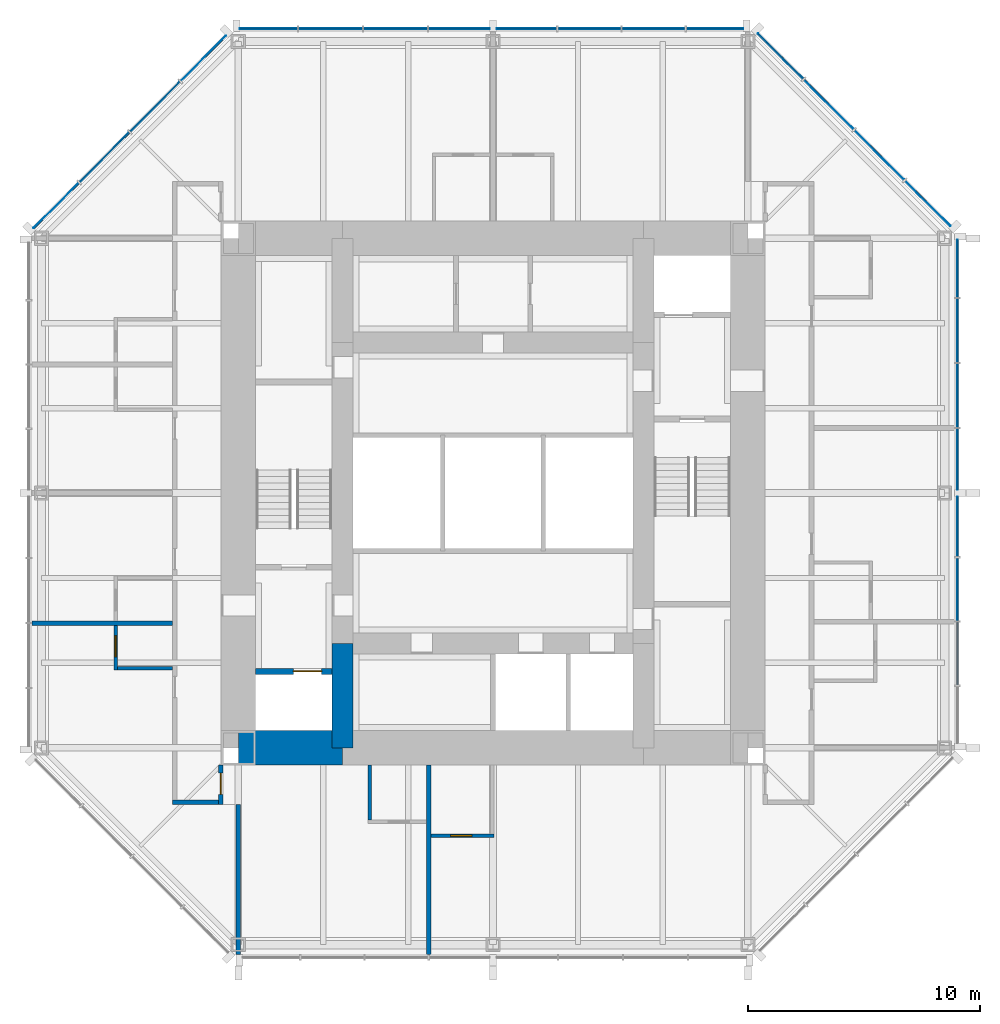
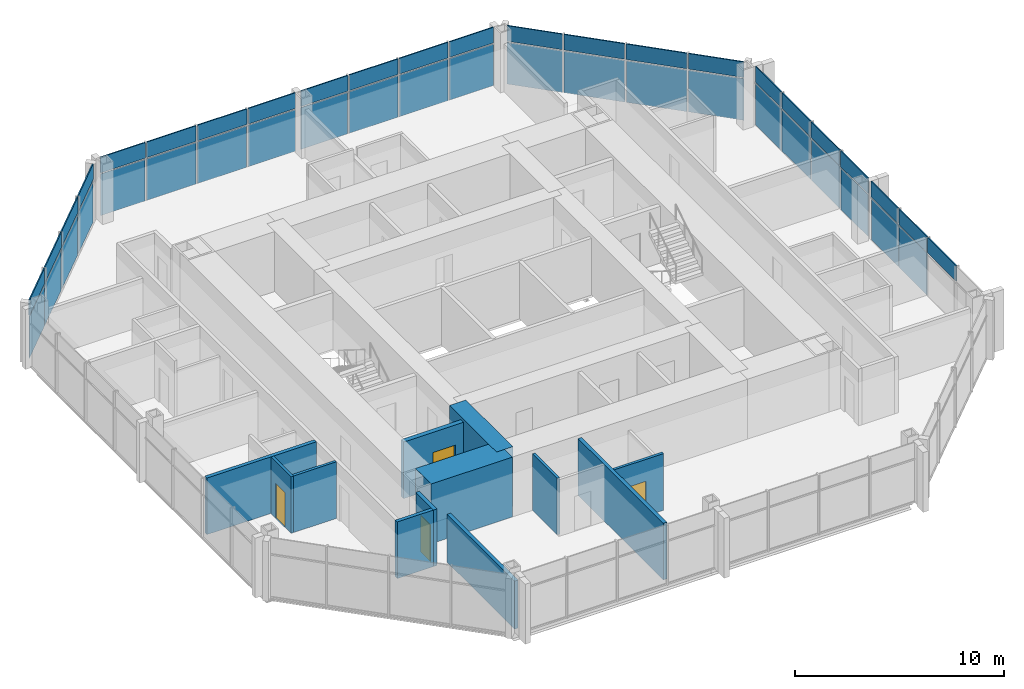
# One storey, part 7 of 11: 45 plates, 12 walls, 4 doors, 4 openings, 4 elements without a shape of their own.
"""IFC4 building model written with IfcOpenShell, lengths in metres."""

import ifcopenshell
import ifcopenshell.guid

model = None  # the IFC model being written
_history = None  # IfcOwnerHistory: only IFC2X3 demands one
_inside = {}  # id of a spatial element -> (the spatial element, [elements in it])
_under = {}  # id of a project, library or spatial element -> (it, [spatial elements below it])
_declared = {}  # id of a project -> (the project, [libraries it declares])
_typed = {}  # id of a type object -> (the type object, [elements of that type])
_made_of = {}  # id of a material, layer set ... -> (it, [elements and type objects made of it])


def new_model(schema):
    """Start an empty IFC model of exactly this schema.

    Asked for "IFC4X3", IfcOpenShell would pick the latest addendum, in which some entities
    have other attributes; the version numbers below select the first issue.
    IFC2X3 requires an IfcOwnerHistory on every rooted entity: one is made here for all.
    """
    global model, _history
    if schema == "IFC4X3":
        model = ifcopenshell.file(schema_version=(4, 3, 0, 0))
    else:
        model = ifcopenshell.file(schema=schema)
    _inside.clear()
    _under.clear()
    _declared.clear()
    _typed.clear()
    _made_of.clear()
    _history = None
    if model.schema == "IFC2X3":
        org = make("IfcOrganization", Name="unknown")
        user = make(
            "IfcPersonAndOrganization",
            ThePerson=make("IfcPerson", FamilyName="unknown"),
            TheOrganization=org,
        )
        app = make(
            "IfcApplication",
            ApplicationDeveloper=org,
            Version="unknown",
            ApplicationFullName="unknown",
            ApplicationIdentifier="unknown",
        )
        _history = make(
            "IfcOwnerHistory",
            OwningUser=user,
            OwningApplication=app,
            ChangeAction="ADDED",
            CreationDate=0,
        )
    return model


def make(cls, **values):
    """One entity of the class cls with the attributes given. An attribute that is None is left unset."""
    return model.create_entity(
        cls, **{name: value for name, value in values.items() if value is not None}
    )


def rooted(cls, **values):
    """An entity with a GlobalId (a new one), such as an element, a storey or a relation."""
    return make(cls, GlobalId=ifcopenshell.guid.new(), OwnerHistory=_history, **values)


def si_unit(unit_type, name, prefix=None):
    """IfcSIUnit, for example si_unit("LENGTHUNIT", "METRE", prefix="MILLI")."""
    return make("IfcSIUnit", UnitType=unit_type, Prefix=prefix, Name=name)


def assignment(units):
    """IfcUnitAssignment: the units of a project."""
    return None if units is None else make("IfcUnitAssignment", Units=units)


def point(xyz):
    """IfcCartesianPoint."""
    return None if xyz is None else make("IfcCartesianPoint", Coordinates=xyz)


def direction(xyz):
    """IfcDirection."""
    return None if xyz is None else make("IfcDirection", DirectionRatios=xyz)


def frame(location, z_axis=None, x_axis=None):
    """IfcAxis2Placement3D, a coordinate frame: its origin and axes. An axis left out is left unset."""
    return make(
        "IfcAxis2Placement3D",
        Location=point(location),
        Axis=direction(z_axis),
        RefDirection=direction(x_axis),
    )


def frame_2d(location, x_axis=None):
    """IfcAxis2Placement2D, a coordinate frame in the plane: its origin and x axis."""
    return make(
        "IfcAxis2Placement2D", Location=point(location), RefDirection=direction(x_axis)
    )


def origin():
    """The frame at (0, 0, 0) with its axes left unset."""
    return frame((0.0, 0.0, 0.0))


def origin_2d():
    """The frame at (0, 0) in the plane with its x axis left unset."""
    return frame_2d((0.0, 0.0))


def place(relative_to, where):
    """IfcLocalPlacement: puts the frame where relative to a parent placement (None: the world)."""
    return make(
        "IfcLocalPlacement", PlacementRelTo=relative_to, RelativePlacement=where
    )


def context(
    kind, dimensions, precision=None, world=None, true_north=None, identifier=None
):
    """IfcGeometricRepresentationContext, for example the 3D "Model" context."""
    return make(
        "IfcGeometricRepresentationContext",
        ContextIdentifier=identifier,
        ContextType=kind,
        CoordinateSpaceDimension=dimensions,
        Precision=precision,
        WorldCoordinateSystem=world,
        TrueNorth=true_north,
    )


def subcontext(parent, identifier, kind, view, scale=None):
    """IfcGeometricRepresentationSubContext, for example "Body" below "Model"."""
    return make(
        "IfcGeometricRepresentationSubContext",
        ContextIdentifier=identifier,
        ContextType=kind,
        ParentContext=parent,
        TargetScale=scale,
        TargetView=view,
    )


def project(units=None, contexts=None):
    """IfcProject with its units and contexts."""
    return rooted(
        "IfcProject",
        Name="project",
        RepresentationContexts=contexts,
        UnitsInContext=assignment(units),
    )


def spatial(cls, under=None, at=None, **own):
    """A site, building, storey or space (cls), placed at a placement, below another one or the project."""
    s = rooted(cls, ObjectPlacement=at, **own)
    if under is not None:
        _under.setdefault(under.id(), (under, []))[1].append(s)
    return s


def profile(cls, at=None, kind="AREA", **sizes):
    """A parametric profile (cls). Its sizes go by their IFC names, for example OverallWidth=200.0."""
    return make(cls, ProfileType=kind, Position=at, **sizes)


def rectangle(**sizes):
    """IfcRectangleProfileDef."""
    return profile("IfcRectangleProfileDef", **sizes)


def extrude(swept, where, along, depth):
    """IfcExtrudedAreaSolid: the profile swept, set in the frame where, extruded along a direction by depth."""
    return make(
        "IfcExtrudedAreaSolid",
        SweptArea=swept,
        Position=where,
        ExtrudedDirection=direction(along),
        Depth=depth,
    )


def shape(context_of_items, identifier, shape_type, items):
    """IfcShapeRepresentation: the items that make up one representation, for example the "Body"."""
    return make(
        "IfcShapeRepresentation",
        ContextOfItems=context_of_items,
        RepresentationIdentifier=identifier,
        RepresentationType=shape_type,
        Items=items,
    )


def material(Name=None, Category=None):
    """IfcMaterial."""
    return make("IfcMaterial", Name=Name, Category=Category)


def layer(
    of_material, thickness, ventilated=None, Name=None, Category=None, Priority=None
):
    """IfcMaterialLayer: one layer of a wall or slab, of a material (None: an air gap)."""
    return make(
        "IfcMaterialLayer",
        Material=of_material,
        LayerThickness=thickness,
        IsVentilated=ventilated,
        Name=Name,
        Category=Category,
        Priority=Priority,
    )


def layer_set(layers, Name=None):
    """IfcMaterialLayerSet."""
    return make("IfcMaterialLayerSet", MaterialLayers=layers, LayerSetName=Name)


def made_of(thing, what):
    """Note that an element or type object is made of a material, layer set ...; save() writes the relation."""
    if what is not None:
        _made_of.setdefault(what.id(), (what, []))[1].append(thing)
    return thing


def type_object(cls, material=None, **own):
    """A type object (cls), such as IfcWallType, which elements share."""
    return made_of(rooted(cls, **own), material)


def element(
    cls,
    number,
    at=None,
    inside=None,
    cuts=None,
    type_object=None,
    material=None,
    context=None,
    identifier="Body",
    shape_type=None,
    held_by="IfcProductDefinitionShape",
    body=None,
    shapes=None,
    **own,
):
    """One element of the class cls, such as IfcWall. Its Tag is "e" and its number.

    at: its placement. inside: the storey or other place that contains it. cuts: it is an
    opening in that element (IfcRelVoidsElement). A single representation is given by context,
    identifier, shape_type and body (its items); several are given by shapes. held_by: the class
    of the entity that holds the representations. save() writes the other relations.
    """
    e = rooted(cls, Tag="e%d" % number, ObjectPlacement=at, **own)
    if body is not None:
        shapes = [shape(context, identifier, shape_type, body)]
    if shapes is not None:
        e.Representation = make(held_by, Representations=shapes)
    if inside is not None:
        _inside.setdefault(inside.id(), (inside, []))[1].append(e)
    if cuts is not None:
        rooted(
            "IfcRelVoidsElement", RelatingBuildingElement=cuts, RelatedOpeningElement=e
        )
    if type_object is not None:
        _typed.setdefault(type_object.id(), (type_object, []))[1].append(e)
    return made_of(e, material)


def fill(opening, filler):
    """IfcRelFillsElement: the door or window that sits in an opening."""
    return rooted(
        "IfcRelFillsElement",
        RelatingOpeningElement=opening,
        RelatedBuildingElement=filler,
    )


def aggregate(whole, parts):
    """IfcRelAggregates: a whole, such as a stair, and the parts it consists of."""
    return rooted("IfcRelAggregates", RelatingObject=whole, RelatedObjects=parts)


def save(model, path):
    """Write the relations noted so far, then the file.

    IfcRelAggregates (storeys below a building ...), IfcRelContainedInSpatialStructure (elements
    in a storey), IfcRelDefinesByType, IfcRelAssociatesMaterial and IfcRelDeclares: one each for
    every whole, place, type object, material and project.
    """
    for whole, parts in _under.values():
        aggregate(whole, parts)
    for where, things in _inside.values():
        rooted(
            "IfcRelContainedInSpatialStructure",
            RelatedElements=things,
            RelatingStructure=where,
        )
    for kind, things in _typed.values():
        rooted("IfcRelDefinesByType", RelatedObjects=things, RelatingType=kind)
    for what, things in _made_of.values():
        rooted("IfcRelAssociatesMaterial", RelatedObjects=things, RelatingMaterial=what)
    for by, libraries in _declared.values():
        rooted("IfcRelDeclares", RelatingContext=by, RelatedDefinitions=libraries)
    model.write(path)


model = new_model("IFC4")

# Units and contexts
model_context = context("Model", 3, precision=1e-05, world=origin(), true_north=direction((0.0, 1.0)))
body_context = subcontext(model_context, "Body", "Model", "MODEL_VIEW")
ifc_project = project(units=[si_unit("LENGTHUNIT", "METRE"), si_unit("AREAUNIT", "SQUARE_METRE"), si_unit("VOLUMEUNIT", "CUBIC_METRE"), si_unit("PLANEANGLEUNIT", "RADIAN"), si_unit("MASSUNIT", "GRAM", prefix="KILO")], contexts=[model_context])

# Site, building, storey
site_placement = place(None, origin())
site = spatial("IfcSite", under=ifc_project, at=site_placement, CompositionType="ELEMENT")
building_placement = place(site_placement, origin())
building = spatial("IfcBuilding", under=site, at=building_placement, Name="Trevanion Tower", CompositionType="ELEMENT")
storey_placement = place(building_placement, frame((0.0, 0.0, 229.199951171875)))
storey = spatial("IfcBuildingStorey", under=building, at=storey_placement, Name="L55", CompositionType="ELEMENT", Elevation=229.199951171875)

# Curtain wall, plates
ifc_material_1 = material(Name="Aluminium and glass", Category="aluminium")
curtain_wall_type = type_object("IfcCurtainWallType", Name="CW3 curtain wall", PredefinedType="USERDEFINED", material=ifc_material_1)
curtain_wall_1_placement = place(storey_placement, origin())
curtain_wall_1 = element("IfcCurtainWall", 1, at=curtain_wall_1_placement, inside=storey, type_object=curtain_wall_type, Name="CW3 L55 0", ObjectType="UNITISED CURTAIN WALL", PredefinedType="USERDEFINED")
ifc_material_2 = material(Name="Aluminium spandrel panel", Category="aluminium")
ifc_layer_1 = layer(ifc_material_2, 0.06005859375)
ifc_layer_set_1 = layer_set([ifc_layer_1], Name="CW3 spandrel panel")
plate_type_1 = type_object("IfcPlateType", Name="CW3 spandrel panel", PredefinedType="CURTAIN_PANEL", material=ifc_layer_set_1)
plate_1_placement = place(storey_placement, frame((20.050048828125, -6.93603515625, 2.3974609375), z_axis=(0.0, 0.0, 1.0), x_axis=(0.0, 1.0, 0.0)))
plate_1 = element("IfcPlate", 2, at=plate_1_placement, type_object=plate_type_1, Name="CW3 panel 2.2", PredefinedType="CURTAIN_PANEL", context=body_context, shape_type="SweptSolid", body=[
    extrude(rectangle(XDim=2.699462890625, YDim=0.06005859375, at=origin_2d()), origin(), (0.0, 0.0, 1.0), 0.91259765625),
])
plate_2_placement = place(storey_placement, frame((20.050048828125, -4.16162109375, 2.3974609375), z_axis=(0.0, 0.0, 1.0), x_axis=(0.0, 1.0, 0.0)))
plate_2 = element("IfcPlate", 3, at=plate_2_placement, type_object=plate_type_1, Name="CW3 panel 3.2", PredefinedType="CURTAIN_PANEL", context=body_context, shape_type="SweptSolid", body=[
    extrude(rectangle(XDim=2.699462890625, YDim=0.06005859375, at=origin_2d()), origin(), (0.0, 0.0, 1.0), 0.91259765625),
])
plate_3_placement = place(storey_placement, frame((20.050048828125, -1.443603515625, 2.3974609375), z_axis=(0.0, 0.0, 1.0), x_axis=(0.0, 1.0, 0.0)))
plate_3 = element("IfcPlate", 4, at=plate_3_placement, type_object=plate_type_1, Name="CW3 panel 4.2", PredefinedType="CURTAIN_PANEL", context=body_context, shape_type="SweptSolid", body=[
    extrude(rectangle(XDim=2.5869140625, YDim=0.06005859375, at=origin_2d()), origin(), (0.0, 0.0, 1.0), 0.91259765625),
])
plate_4_placement = place(storey_placement, frame((20.050048828125, 1.459716796875, 2.3974609375), z_axis=(0.0, 0.0, 1.0), x_axis=(0.0, 1.0, 0.0)))
plate_4 = element("IfcPlate", 5, at=plate_4_placement, type_object=plate_type_1, Name="CW3 panel 5.2", PredefinedType="CURTAIN_PANEL", context=body_context, shape_type="SweptSolid", body=[
    extrude(rectangle(XDim=2.619384765625, YDim=0.06005859375, at=origin_2d()), origin(), (0.0, 0.0, 1.0), 0.91259765625),
])
plate_5_placement = place(storey_placement, frame((20.050048828125, 4.21044921875, 2.3974609375), z_axis=(0.0, 0.0, 1.0), x_axis=(0.0, 1.0, 0.0)))
plate_5 = element("IfcPlate", 6, at=plate_5_placement, type_object=plate_type_1, Name="CW3 panel 6.2", PredefinedType="CURTAIN_PANEL", context=body_context, shape_type="SweptSolid", body=[
    extrude(rectangle(XDim=2.73193359375, YDim=0.06005859375, at=origin_2d()), origin(), (0.0, 0.0, 1.0), 0.91259765625),
])
plate_6_placement = place(storey_placement, frame((20.050048828125, 7.017333984375, 2.3974609375), z_axis=(0.0, 0.0, 1.0), x_axis=(0.0, 1.0, 0.0)))
plate_6 = element("IfcPlate", 7, at=plate_6_placement, type_object=plate_type_1, Name="CW3 panel 7.2", PredefinedType="CURTAIN_PANEL", context=body_context, shape_type="SweptSolid", body=[
    extrude(rectangle(XDim=2.73193359375, YDim=0.06005859375, at=origin_2d()), origin(), (0.0, 0.0, 1.0), 0.91259765625),
])
plate_7_placement = place(storey_placement, frame((20.050048828125, 9.693115234375, 2.3974609375), z_axis=(0.0, 0.0, 1.0), x_axis=(0.0, 1.0, 0.0)))
plate_7 = element("IfcPlate", 8, at=plate_7_placement, type_object=plate_type_1, Name="CW3 panel 8.2", PredefinedType="CURTAIN_PANEL", context=body_context, shape_type="SweptSolid", body=[
    extrude(rectangle(XDim=2.469482421875, YDim=0.06005859375, at=origin_2d()), origin(), (0.0, 0.0, 1.0), 0.91259765625),
])

curtain_wall_2_placement = place(storey_placement, origin())
curtain_wall_2 = element("IfcCurtainWall", 9, at=curtain_wall_2_placement, inside=storey, type_object=curtain_wall_type, Name="CW3 L55 1", ObjectType="UNITISED CURTAIN WALL", PredefinedType="USERDEFINED")
plate_8_placement = place(storey_placement, frame((18.77392578125, 12.50390625, 2.3974609375), z_axis=(0.0, 0.0, 1.0), x_axis=(-0.707106781187, 0.707106781187, 0.0)))
plate_8 = element("IfcPlate", 10, at=plate_8_placement, type_object=plate_type_1, Name="CW3 panel 1.2", PredefinedType="CURTAIN_PANEL", context=body_context, shape_type="SweptSolid", body=[
    extrude(rectangle(XDim=2.7490234375, YDim=0.06005859375, at=origin_2d()), origin(), (0.0, 0.0, 1.0), 0.91259765625),
])
plate_9_placement = place(storey_placement, frame((16.68408203125, 14.593505859375, 2.3974609375), z_axis=(0.0, 0.0, 1.0), x_axis=(-0.707106781187, 0.707106781187, 0.0)))
plate_9 = element("IfcPlate", 11, at=plate_9_placement, type_object=plate_type_1, Name="CW3 panel 2.2", PredefinedType="CURTAIN_PANEL", context=body_context, shape_type="SweptSolid", body=[
    extrude(rectangle(XDim=3.01171875, YDim=0.06005859375, at=origin_2d()), origin(), (0.0, 0.0, 1.0), 0.91259765625),
])
plate_10_placement = place(storey_placement, frame((14.501708984375, 16.776123046875, 2.3974609375), z_axis=(0.0, 0.0, 1.0), x_axis=(-0.707106781187, 0.707106781187, 0.0)))
plate_10 = element("IfcPlate", 12, at=plate_10_placement, type_object=plate_type_1, Name="CW3 panel 3.2", PredefinedType="CURTAIN_PANEL", context=body_context, shape_type="SweptSolid", body=[
    extrude(rectangle(XDim=3.01171875, YDim=0.06005859375, at=origin_2d()), origin(), (0.0, 0.0, 1.0), 0.91259765625),
])
plate_11_placement = place(storey_placement, frame((12.411865234375, 18.865966796875, 2.3974609375), z_axis=(0.0, 0.0, 1.0), x_axis=(-0.707106781187, 0.707106781187, 0.0)))
plate_11 = element("IfcPlate", 13, at=plate_11_placement, type_object=plate_type_1, Name="CW3 panel 4.2", PredefinedType="CURTAIN_PANEL", context=body_context, shape_type="SweptSolid", body=[
    extrude(rectangle(XDim=2.7490234375, YDim=0.06005859375, at=origin_2d()), origin(), (0.0, 0.0, 1.0), 0.91259765625),
])

curtain_wall_3_placement = place(storey_placement, origin())
curtain_wall_3 = element("IfcCurtainWall", 14, at=curtain_wall_3_placement, inside=storey, type_object=curtain_wall_type, Name="CW3 L55 2", ObjectType="UNITISED CURTAIN WALL", PredefinedType="USERDEFINED")
plate_12_placement = place(storey_placement, frame((9.579345703125, 20.050048828125, 2.3974609375), z_axis=(0.0, 0.0, 1.0), x_axis=(-1.0, 0.0, 0.0)))
plate_12 = element("IfcPlate", 15, at=plate_12_placement, type_object=plate_type_1, Name="CW3 panel 1.2", PredefinedType="CURTAIN_PANEL", context=body_context, shape_type="SweptSolid", body=[
    extrude(rectangle(XDim=2.43701171875, YDim=0.06005859375, at=origin_2d()), origin(), (0.0, 0.0, 1.0), 0.91259765625),
])
plate_13_placement = place(storey_placement, frame((6.93603515625, 20.050048828125, 2.3974609375), z_axis=(0.0, 0.0, 1.0), x_axis=(-1.0, 0.0, 0.0)))
plate_13 = element("IfcPlate", 16, at=plate_13_placement, type_object=plate_type_1, Name="CW3 panel 2.2", PredefinedType="CURTAIN_PANEL", context=body_context, shape_type="SweptSolid", body=[
    extrude(rectangle(XDim=2.699462890625, YDim=0.06005859375, at=origin_2d()), origin(), (0.0, 0.0, 1.0), 0.91259765625),
])
plate_14_placement = place(storey_placement, frame((4.16162109375, 20.050048828125, 2.3974609375), z_axis=(0.0, 0.0, 1.0), x_axis=(-1.0, 0.0, 0.0)))
plate_14 = element("IfcPlate", 17, at=plate_14_placement, type_object=plate_type_1, Name="CW3 panel 3.2", PredefinedType="CURTAIN_PANEL", context=body_context, shape_type="SweptSolid", body=[
    extrude(rectangle(XDim=2.699462890625, YDim=0.06005859375, at=origin_2d()), origin(), (0.0, 0.0, 1.0), 0.91259765625),
])
plate_15_placement = place(storey_placement, frame((1.443603515625, 20.050048828125, 2.3974609375), z_axis=(0.0, 0.0, 1.0), x_axis=(-1.0, 0.0, 0.0)))
plate_15 = element("IfcPlate", 18, at=plate_15_placement, type_object=plate_type_1, Name="CW3 panel 4.2", PredefinedType="CURTAIN_PANEL", context=body_context, shape_type="SweptSolid", body=[
    extrude(rectangle(XDim=2.5869140625, YDim=0.06005859375, at=origin_2d()), origin(), (0.0, 0.0, 1.0), 0.91259765625),
])
plate_16_placement = place(storey_placement, frame((-1.459716796875, 20.050048828125, 2.3974609375), z_axis=(0.0, 0.0, 1.0), x_axis=(-1.0, 0.0, 0.0)))
plate_16 = element("IfcPlate", 19, at=plate_16_placement, type_object=plate_type_1, Name="CW3 panel 5.2", PredefinedType="CURTAIN_PANEL", context=body_context, shape_type="SweptSolid", body=[
    extrude(rectangle(XDim=2.619384765625, YDim=0.06005859375, at=origin_2d()), origin(), (0.0, 0.0, 1.0), 0.91259765625),
])
plate_17_placement = place(storey_placement, frame((-4.21044921875, 20.050048828125, 2.3974609375), z_axis=(0.0, 0.0, 1.0), x_axis=(-1.0, 0.0, 0.0)))
plate_17 = element("IfcPlate", 20, at=plate_17_placement, type_object=plate_type_1, Name="CW3 panel 6.2", PredefinedType="CURTAIN_PANEL", context=body_context, shape_type="SweptSolid", body=[
    extrude(rectangle(XDim=2.73193359375, YDim=0.06005859375, at=origin_2d()), origin(), (0.0, 0.0, 1.0), 0.91259765625),
])
plate_18_placement = place(storey_placement, frame((-7.017333984375, 20.050048828125, 2.3974609375), z_axis=(0.0, 0.0, 1.0), x_axis=(-1.0, 0.0, 0.0)))
plate_18 = element("IfcPlate", 21, at=plate_18_placement, type_object=plate_type_1, Name="CW3 panel 7.2", PredefinedType="CURTAIN_PANEL", context=body_context, shape_type="SweptSolid", body=[
    extrude(rectangle(XDim=2.73193359375, YDim=0.06005859375, at=origin_2d()), origin(), (0.0, 0.0, 1.0), 0.91259765625),
])
plate_19_placement = place(storey_placement, frame((-9.693115234375, 20.050048828125, 2.3974609375), z_axis=(0.0, 0.0, 1.0), x_axis=(-1.0, 0.0, 0.0)))
plate_19 = element("IfcPlate", 22, at=plate_19_placement, type_object=plate_type_1, Name="CW3 panel 8.2", PredefinedType="CURTAIN_PANEL", context=body_context, shape_type="SweptSolid", body=[
    extrude(rectangle(XDim=2.469482421875, YDim=0.06005859375, at=origin_2d()), origin(), (0.0, 0.0, 1.0), 0.91259765625),
])

curtain_wall_4_placement = place(storey_placement, origin())
curtain_wall_4 = element("IfcCurtainWall", 23, at=curtain_wall_4_placement, inside=storey, type_object=curtain_wall_type, Name="CW3 L55 3", ObjectType="UNITISED CURTAIN WALL", PredefinedType="USERDEFINED")
plate_20_placement = place(storey_placement, frame((-12.50390625, 18.77392578125, 2.3974609375), z_axis=(0.0, 0.0, 1.0), x_axis=(-0.707106781187, -0.707106781187, 0.0)))
plate_20 = element("IfcPlate", 24, at=plate_20_placement, type_object=plate_type_1, Name="CW3 panel 1.2", PredefinedType="CURTAIN_PANEL", context=body_context, shape_type="SweptSolid", body=[
    extrude(rectangle(XDim=2.7490234375, YDim=0.06005859375, at=origin_2d()), origin(), (0.0, 0.0, 1.0), 0.91259765625),
])
plate_21_placement = place(storey_placement, frame((-14.593505859375, 16.68408203125, 2.3974609375), z_axis=(0.0, 0.0, 1.0), x_axis=(-0.707106781187, -0.707106781187, 0.0)))
plate_21 = element("IfcPlate", 25, at=plate_21_placement, type_object=plate_type_1, Name="CW3 panel 2.2", PredefinedType="CURTAIN_PANEL", context=body_context, shape_type="SweptSolid", body=[
    extrude(rectangle(XDim=3.01171875, YDim=0.06005859375, at=origin_2d()), origin(), (0.0, 0.0, 1.0), 0.91259765625),
])
plate_22_placement = place(storey_placement, frame((-16.776123046875, 14.501708984375, 2.3974609375), z_axis=(0.0, 0.0, 1.0), x_axis=(-0.707106781187, -0.707106781187, 0.0)))
plate_22 = element("IfcPlate", 26, at=plate_22_placement, type_object=plate_type_1, Name="CW3 panel 3.2", PredefinedType="CURTAIN_PANEL", context=body_context, shape_type="SweptSolid", body=[
    extrude(rectangle(XDim=3.01171875, YDim=0.06005859375, at=origin_2d()), origin(), (0.0, 0.0, 1.0), 0.91259765625),
])
plate_23_placement = place(storey_placement, frame((-18.865966796875, 12.411865234375, 2.3974609375), z_axis=(0.0, 0.0, 1.0), x_axis=(-0.707106781187, -0.707106781187, 0.0)))
plate_23 = element("IfcPlate", 27, at=plate_23_placement, type_object=plate_type_1, Name="CW3 panel 4.2", PredefinedType="CURTAIN_PANEL", context=body_context, shape_type="SweptSolid", body=[
    extrude(rectangle(XDim=2.7490234375, YDim=0.06005859375, at=origin_2d()), origin(), (0.0, 0.0, 1.0), 0.91259765625),
])

# Plate
ifc_material_3 = material(Name="Insulating glass unit", Category="glass")
ifc_layer_2 = layer(ifc_material_3, 0.028076171875)
ifc_layer_set_2 = layer_set([ifc_layer_2], Name="CW3 vision panel")
plate_type_2 = type_object("IfcPlateType", Name="CW3 vision panel", PredefinedType="CURTAIN_PANEL", material=ifc_layer_set_2)
plate_24_placement = place(storey_placement, frame((20.050048828125, -4.16162109375, -0.114990234375), z_axis=(0.0, 0.0, 1.0), x_axis=(0.0, 1.0, 0.0)))
plate_24 = element("IfcPlate", 28, at=plate_24_placement, type_object=plate_type_2, Name="CW3 panel 3.1", PredefinedType="CURTAIN_PANEL", context=body_context, shape_type="SweptSolid", body=[
    extrude(rectangle(XDim=2.699462890625, YDim=0.028076171875, at=origin_2d()), origin(), (0.0, 0.0, 1.0), 2.4375),
])

plate_25_placement = place(storey_placement, frame((20.050048828125, -1.443603515625, -0.114990234375), z_axis=(0.0, 0.0, 1.0), x_axis=(0.0, 1.0, 0.0)))
plate_25 = element("IfcPlate", 29, at=plate_25_placement, type_object=plate_type_2, Name="CW3 panel 4.1", PredefinedType="CURTAIN_PANEL", context=body_context, shape_type="SweptSolid", body=[
    extrude(rectangle(XDim=2.5869140625, YDim=0.028076171875, at=origin_2d()), origin(), (0.0, 0.0, 1.0), 2.4375),
])

plate_26_placement = place(storey_placement, frame((20.050048828125, 1.459716796875, -0.114990234375), z_axis=(0.0, 0.0, 1.0), x_axis=(0.0, 1.0, 0.0)))
plate_26 = element("IfcPlate", 30, at=plate_26_placement, type_object=plate_type_2, Name="CW3 panel 5.1", PredefinedType="CURTAIN_PANEL", context=body_context, shape_type="SweptSolid", body=[
    extrude(rectangle(XDim=2.619384765625, YDim=0.028076171875, at=origin_2d()), origin(), (0.0, 0.0, 1.0), 2.4375),
])

plate_27_placement = place(storey_placement, frame((20.050048828125, 4.21044921875, -0.114990234375), z_axis=(0.0, 0.0, 1.0), x_axis=(0.0, 1.0, 0.0)))
plate_27 = element("IfcPlate", 31, at=plate_27_placement, type_object=plate_type_2, Name="CW3 panel 6.1", PredefinedType="CURTAIN_PANEL", context=body_context, shape_type="SweptSolid", body=[
    extrude(rectangle(XDim=2.73193359375, YDim=0.028076171875, at=origin_2d()), origin(), (0.0, 0.0, 1.0), 2.4375),
])

plate_28_placement = place(storey_placement, frame((20.050048828125, 7.017333984375, -0.114990234375), z_axis=(0.0, 0.0, 1.0), x_axis=(0.0, 1.0, 0.0)))
plate_28 = element("IfcPlate", 32, at=plate_28_placement, type_object=plate_type_2, Name="CW3 panel 7.1", PredefinedType="CURTAIN_PANEL", context=body_context, shape_type="SweptSolid", body=[
    extrude(rectangle(XDim=2.73193359375, YDim=0.028076171875, at=origin_2d()), origin(), (0.0, 0.0, 1.0), 2.4375),
])

plate_29_placement = place(storey_placement, frame((20.050048828125, 9.693115234375, -0.114990234375), z_axis=(0.0, 0.0, 1.0), x_axis=(0.0, 1.0, 0.0)))
plate_29 = element("IfcPlate", 33, at=plate_29_placement, type_object=plate_type_2, Name="CW3 panel 8.1", PredefinedType="CURTAIN_PANEL", context=body_context, shape_type="SweptSolid", body=[
    extrude(rectangle(XDim=2.469482421875, YDim=0.028076171875, at=origin_2d()), origin(), (0.0, 0.0, 1.0), 2.4375),
])

aggregate(curtain_wall_1, [plate_1, plate_24, plate_2, plate_25, plate_3, plate_26, plate_4, plate_27, plate_5, plate_28, plate_6, plate_29, plate_7])

plate_30_placement = place(storey_placement, frame((18.77392578125, 12.50390625, -0.114990234375), z_axis=(0.0, 0.0, 1.0), x_axis=(-0.707106781187, 0.707106781187, 0.0)))
plate_30 = element("IfcPlate", 34, at=plate_30_placement, type_object=plate_type_2, Name="CW3 panel 1.1", PredefinedType="CURTAIN_PANEL", context=body_context, shape_type="SweptSolid", body=[
    extrude(rectangle(XDim=2.7490234375, YDim=0.028076171875, at=origin_2d()), origin(), (0.0, 0.0, 1.0), 2.4375),
])

plate_31_placement = place(storey_placement, frame((16.68408203125, 14.593505859375, -0.114990234375), z_axis=(0.0, 0.0, 1.0), x_axis=(-0.707106781187, 0.707106781187, 0.0)))
plate_31 = element("IfcPlate", 35, at=plate_31_placement, type_object=plate_type_2, Name="CW3 panel 2.1", PredefinedType="CURTAIN_PANEL", context=body_context, shape_type="SweptSolid", body=[
    extrude(rectangle(XDim=3.01171875, YDim=0.028076171875, at=origin_2d()), origin(), (0.0, 0.0, 1.0), 2.4375),
])

plate_32_placement = place(storey_placement, frame((14.501708984375, 16.776123046875, -0.114990234375), z_axis=(0.0, 0.0, 1.0), x_axis=(-0.707106781187, 0.707106781187, 0.0)))
plate_32 = element("IfcPlate", 36, at=plate_32_placement, type_object=plate_type_2, Name="CW3 panel 3.1", PredefinedType="CURTAIN_PANEL", context=body_context, shape_type="SweptSolid", body=[
    extrude(rectangle(XDim=3.01171875, YDim=0.028076171875, at=origin_2d()), origin(), (0.0, 0.0, 1.0), 2.4375),
])

plate_33_placement = place(storey_placement, frame((12.411865234375, 18.865966796875, -0.114990234375), z_axis=(0.0, 0.0, 1.0), x_axis=(-0.707106781187, 0.707106781187, 0.0)))
plate_33 = element("IfcPlate", 37, at=plate_33_placement, type_object=plate_type_2, Name="CW3 panel 4.1", PredefinedType="CURTAIN_PANEL", context=body_context, shape_type="SweptSolid", body=[
    extrude(rectangle(XDim=2.7490234375, YDim=0.028076171875, at=origin_2d()), origin(), (0.0, 0.0, 1.0), 2.4375),
])

aggregate(curtain_wall_2, [plate_30, plate_8, plate_31, plate_9, plate_32, plate_10, plate_33, plate_11])

plate_34_placement = place(storey_placement, frame((9.579345703125, 20.050048828125, -0.114990234375), z_axis=(0.0, 0.0, 1.0), x_axis=(-1.0, 0.0, 0.0)))
plate_34 = element("IfcPlate", 38, at=plate_34_placement, type_object=plate_type_2, Name="CW3 panel 1.1", PredefinedType="CURTAIN_PANEL", context=body_context, shape_type="SweptSolid", body=[
    extrude(rectangle(XDim=2.43701171875, YDim=0.028076171875, at=origin_2d()), origin(), (0.0, 0.0, 1.0), 2.4375),
])

plate_35_placement = place(storey_placement, frame((6.93603515625, 20.050048828125, -0.114990234375), z_axis=(0.0, 0.0, 1.0), x_axis=(-1.0, 0.0, 0.0)))
plate_35 = element("IfcPlate", 39, at=plate_35_placement, type_object=plate_type_2, Name="CW3 panel 2.1", PredefinedType="CURTAIN_PANEL", context=body_context, shape_type="SweptSolid", body=[
    extrude(rectangle(XDim=2.699462890625, YDim=0.028076171875, at=origin_2d()), origin(), (0.0, 0.0, 1.0), 2.4375),
])

plate_36_placement = place(storey_placement, frame((4.16162109375, 20.050048828125, -0.114990234375), z_axis=(0.0, 0.0, 1.0), x_axis=(-1.0, 0.0, 0.0)))
plate_36 = element("IfcPlate", 40, at=plate_36_placement, type_object=plate_type_2, Name="CW3 panel 3.1", PredefinedType="CURTAIN_PANEL", context=body_context, shape_type="SweptSolid", body=[
    extrude(rectangle(XDim=2.699462890625, YDim=0.028076171875, at=origin_2d()), origin(), (0.0, 0.0, 1.0), 2.4375),
])

plate_37_placement = place(storey_placement, frame((1.443603515625, 20.050048828125, -0.114990234375), z_axis=(0.0, 0.0, 1.0), x_axis=(-1.0, 0.0, 0.0)))
plate_37 = element("IfcPlate", 41, at=plate_37_placement, type_object=plate_type_2, Name="CW3 panel 4.1", PredefinedType="CURTAIN_PANEL", context=body_context, shape_type="SweptSolid", body=[
    extrude(rectangle(XDim=2.5869140625, YDim=0.028076171875, at=origin_2d()), origin(), (0.0, 0.0, 1.0), 2.4375),
])

plate_38_placement = place(storey_placement, frame((-1.459716796875, 20.050048828125, -0.114990234375), z_axis=(0.0, 0.0, 1.0), x_axis=(-1.0, 0.0, 0.0)))
plate_38 = element("IfcPlate", 42, at=plate_38_placement, type_object=plate_type_2, Name="CW3 panel 5.1", PredefinedType="CURTAIN_PANEL", context=body_context, shape_type="SweptSolid", body=[
    extrude(rectangle(XDim=2.619384765625, YDim=0.028076171875, at=origin_2d()), origin(), (0.0, 0.0, 1.0), 2.4375),
])

plate_39_placement = place(storey_placement, frame((-4.21044921875, 20.050048828125, -0.114990234375), z_axis=(0.0, 0.0, 1.0), x_axis=(-1.0, 0.0, 0.0)))
plate_39 = element("IfcPlate", 43, at=plate_39_placement, type_object=plate_type_2, Name="CW3 panel 6.1", PredefinedType="CURTAIN_PANEL", context=body_context, shape_type="SweptSolid", body=[
    extrude(rectangle(XDim=2.73193359375, YDim=0.028076171875, at=origin_2d()), origin(), (0.0, 0.0, 1.0), 2.4375),
])

plate_40_placement = place(storey_placement, frame((-7.017333984375, 20.050048828125, -0.114990234375), z_axis=(0.0, 0.0, 1.0), x_axis=(-1.0, 0.0, 0.0)))
plate_40 = element("IfcPlate", 44, at=plate_40_placement, type_object=plate_type_2, Name="CW3 panel 7.1", PredefinedType="CURTAIN_PANEL", context=body_context, shape_type="SweptSolid", body=[
    extrude(rectangle(XDim=2.73193359375, YDim=0.028076171875, at=origin_2d()), origin(), (0.0, 0.0, 1.0), 2.4375),
])

plate_41_placement = place(storey_placement, frame((-9.693115234375, 20.050048828125, -0.114990234375), z_axis=(0.0, 0.0, 1.0), x_axis=(-1.0, 0.0, 0.0)))
plate_41 = element("IfcPlate", 45, at=plate_41_placement, type_object=plate_type_2, Name="CW3 panel 8.1", PredefinedType="CURTAIN_PANEL", context=body_context, shape_type="SweptSolid", body=[
    extrude(rectangle(XDim=2.469482421875, YDim=0.028076171875, at=origin_2d()), origin(), (0.0, 0.0, 1.0), 2.4375),
])

aggregate(curtain_wall_3, [plate_34, plate_12, plate_35, plate_13, plate_36, plate_14, plate_37, plate_15, plate_38, plate_16, plate_39, plate_17, plate_40, plate_18, plate_41, plate_19])

plate_42_placement = place(storey_placement, frame((-12.50390625, 18.77392578125, -0.114990234375), z_axis=(0.0, 0.0, 1.0), x_axis=(-0.707106781187, -0.707106781187, 0.0)))
plate_42 = element("IfcPlate", 46, at=plate_42_placement, type_object=plate_type_2, Name="CW3 panel 1.1", PredefinedType="CURTAIN_PANEL", context=body_context, shape_type="SweptSolid", body=[
    extrude(rectangle(XDim=2.7490234375, YDim=0.028076171875, at=origin_2d()), origin(), (0.0, 0.0, 1.0), 2.4375),
])

plate_43_placement = place(storey_placement, frame((-14.593505859375, 16.68408203125, -0.114990234375), z_axis=(0.0, 0.0, 1.0), x_axis=(-0.707106781187, -0.707106781187, 0.0)))
plate_43 = element("IfcPlate", 47, at=plate_43_placement, type_object=plate_type_2, Name="CW3 panel 2.1", PredefinedType="CURTAIN_PANEL", context=body_context, shape_type="SweptSolid", body=[
    extrude(rectangle(XDim=3.01171875, YDim=0.028076171875, at=origin_2d()), origin(), (0.0, 0.0, 1.0), 2.4375),
])

plate_44_placement = place(storey_placement, frame((-16.776123046875, 14.501708984375, -0.114990234375), z_axis=(0.0, 0.0, 1.0), x_axis=(-0.707106781187, -0.707106781187, 0.0)))
plate_44 = element("IfcPlate", 48, at=plate_44_placement, type_object=plate_type_2, Name="CW3 panel 3.1", PredefinedType="CURTAIN_PANEL", context=body_context, shape_type="SweptSolid", body=[
    extrude(rectangle(XDim=3.01171875, YDim=0.028076171875, at=origin_2d()), origin(), (0.0, 0.0, 1.0), 2.4375),
])

plate_45_placement = place(storey_placement, frame((-18.865966796875, 12.411865234375, -0.114990234375), z_axis=(0.0, 0.0, 1.0), x_axis=(-0.707106781187, -0.707106781187, 0.0)))
plate_45 = element("IfcPlate", 49, at=plate_45_placement, type_object=plate_type_2, Name="CW3 panel 4.1", PredefinedType="CURTAIN_PANEL", context=body_context, shape_type="SweptSolid", body=[
    extrude(rectangle(XDim=2.7490234375, YDim=0.028076171875, at=origin_2d()), origin(), (0.0, 0.0, 1.0), 2.4375),
])

aggregate(curtain_wall_4, [plate_42, plate_20, plate_43, plate_21, plate_44, plate_22, plate_45, plate_23])

# Walls
ifc_material_4 = material(Name="Concrete 10,000 psi", Category="concrete")
ifc_layer_3 = layer(ifc_material_4, 1.5)
ifc_layer_set_3 = layer_set([ifc_layer_3], Name="CW1 core wall 1500")
wall_type_1 = type_object("IfcWallType", Name="CW1 core wall 1500", PredefinedType="SHEAR", material=ifc_layer_set_3)
wall_1_placement = place(storey_placement, frame((-11.0, -11.0, 0.0), z_axis=(0.0, 0.0, 1.0), x_axis=(1.0, 0.0, 0.0)))
element("IfcWall", 50, at=wall_1_placement, inside=storey, type_object=wall_type_1, Name="CW1 CS1 L55", PredefinedType="SHEAR", context=body_context, shape_type="SweptSolid", body=[
    extrude(rectangle(XDim=4.5, YDim=1.5, at=frame_2d((2.25, 0.0))), origin(), (0.0, 0.0, 1.0), 3.5),
])
ifc_material_5 = material(Name="Concrete 10,000 psi", Category="concrete")
ifc_layer_4 = layer(ifc_material_5, 0.89990234375)
ifc_layer_set_4 = layer_set([ifc_layer_4], Name="CW2 core wall 900")
wall_type_2 = type_object("IfcWallType", Name="CW2 core wall 900", PredefinedType="SHEAR", material=ifc_layer_set_4)
wall_2_placement = place(storey_placement, frame((-6.5, -6.5, 0.0), z_axis=(0.0, 0.0, 1.0), x_axis=(0.0, -1.0, 0.0)))
element("IfcWall", 51, at=wall_2_placement, inside=storey, type_object=wall_type_2, Name="CW2 RW3 L55", PredefinedType="SHEAR", context=body_context, shape_type="SweptSolid", body=[
    extrude(rectangle(XDim=4.5, YDim=0.89990234375, at=frame_2d((2.25, 0.0))), origin(), (0.0, 0.0, 1.0), 3.5),
])

# Wall, opening, door
ifc_material_6 = material(Name="Gypsum board on steel studs", Category="steel")
ifc_layer_5 = layer(ifc_material_6, 0.14990234375)
ifc_layer_set_5 = layer_set([ifc_layer_5], Name="PT1 partition 150")
wall_type_3 = type_object("IfcWallType", Name="PT1 partition 150", PredefinedType="PARTITIONING", material=ifc_layer_set_5)
wall_3_placement = place(storey_placement, frame((-16.300048828125, -5.714111328125, 0.0), z_axis=(0.0, 0.0, 1.0), x_axis=(0.0, -1.0, 0.0)))
wall_3 = element("IfcWall", 52, at=wall_3_placement, inside=storey, type_object=wall_type_3, Name="PT1 L55 BA23", PredefinedType="PARTITIONING", context=body_context, shape_type="SweptSolid", body=[
    extrude(rectangle(XDim=1.9248046875, YDim=0.14990234375, at=frame_2d((0.96240234375, 0.0))), origin(), (0.0, 0.0, 1.0), 3.31005859375),
])
opening_1_placement = place(wall_3_placement, frame((0.4423828125, 0.0, 0.0)))
opening_1 = element("IfcOpeningElement", 53, at=opening_1_placement, cuts=wall_3, Name="Opening 55-033", PredefinedType="OPENING", context=body_context, shape_type="SweptSolid", body=[
    extrude(rectangle(XDim=0.9150390625, YDim=2.031982421875, at=frame_2d((0.45751953125, 1.01611328125))), frame((0.0, 0.0849609375, 0.0), z_axis=(0.0, -1.0, 0.0), x_axis=(1.0, 0.0, 0.0)), (0.0, 0.0, 1.0), 0.169921875),
])
ifc_material_7 = material(Name="Timber veneer", Category="wood")
door_type_1 = type_object("IfcDoorType", Name="D7 bathroom door", OperationType="SINGLE_SWING_LEFT", PredefinedType="DOOR", material=ifc_material_7)
door_1_placement = place(opening_1_placement, origin())
door_1 = element("IfcDoor", 54, at=door_1_placement, inside=storey, type_object=door_type_1, Name="Door 55-033", OperationType="SINGLE_SWING_LEFT", OverallHeight=2.031982421875, OverallWidth=0.9150390625, PredefinedType="DOOR", context=body_context, shape_type="SweptSolid", body=[
    extrude(rectangle(XDim=0.9150390625, YDim=2.031982421875, at=frame_2d((0.45751953125, 1.01611328125))), frame((0.0, 0.02490234375, 0.0), z_axis=(0.0, -1.0, 0.0), x_axis=(1.0, 0.0, 0.0)), (0.0, 0.0, 1.0), 0.050048828125),
])
fill(opening_1, door_1)

# Walls
for number, where, z_axis, x_axis, name in (
    (55, (-13.85009765625, -7.56396484375, 0.0), (0.0, 0.0, 1.0), (-1.0, 0.0, 0.0), "PT1 L55 BB23"),
    (56, (-5.324951171875, -11.75, 0.0), (0.0, 0.0, 1.0), (0.0, -1.0, 0.0), "PT1 L55 BB30"),
):
    element("IfcWall", number, at=place(storey_placement, frame(where, z_axis=z_axis, x_axis=x_axis)), inside=storey, type_object=wall_type_3, Name=name, PredefinedType="PARTITIONING", context=body_context, shape_type="SweptSolid", body=[
        extrude(rectangle(XDim=2.375, YDim=0.14990234375, at=frame_2d((1.1875, 0.0))), origin(), (0.0, 0.0, 1.0), 3.31005859375),
    ])

# Wall, opening, door
wall_4_placement = place(storey_placement, frame((-2.675048828125, -14.800048828125, 0.0), z_axis=(0.0, 0.0, 1.0), x_axis=(1.0, 0.0, 0.0)))
wall_4 = element("IfcWall", 57, at=wall_4_placement, inside=storey, type_object=wall_type_3, Name="PT1 L55 BA31", PredefinedType="PARTITIONING", context=body_context, shape_type="SweptSolid", body=[
    extrude(rectangle(XDim=2.72509765625, YDim=0.14990234375, at=frame_2d((1.362548828125, 0.0))), origin(), (0.0, 0.0, 1.0), 3.31005859375),
])
opening_2_placement = place(wall_4_placement, frame((0.842529296875, 0.0, 0.0)))
opening_2 = element("IfcOpeningElement", 58, at=opening_2_placement, cuts=wall_4, Name="Opening 55-038", PredefinedType="OPENING", context=body_context, shape_type="SweptSolid", body=[
    extrude(rectangle(XDim=0.9150390625, YDim=2.031982421875, at=frame_2d((0.45751953125, 1.01611328125))), frame((0.0, 0.0849609375, 0.0), z_axis=(0.0, -1.0, 0.0), x_axis=(1.0, 0.0, 0.0)), (0.0, 0.0, 1.0), 0.169921875),
])
door_2_placement = place(opening_2_placement, origin())
door_2 = element("IfcDoor", 59, at=door_2_placement, inside=storey, type_object=door_type_1, Name="Door 55-038", OperationType="SINGLE_SWING_LEFT", OverallHeight=2.031982421875, OverallWidth=0.9150390625, PredefinedType="DOOR", context=body_context, shape_type="SweptSolid", body=[
    extrude(rectangle(XDim=0.9150390625, YDim=2.031982421875, at=frame_2d((0.45751953125, 1.01611328125))), frame((0.0, 0.02490234375, 0.0), z_axis=(0.0, -1.0, 0.0), x_axis=(1.0, 0.0, 0.0)), (0.0, 0.0, 1.0), 0.050048828125),
])
fill(opening_2, door_2)

ifc_material_8 = material(Name="Concrete masonry, grouted", Category="masonry")
ifc_layer_6 = layer(ifc_material_8, 0.199951171875)
ifc_layer_set_6 = layer_set([ifc_layer_6], Name="PT2 partition 200 1 HR")
wall_type_4 = type_object("IfcWallType", Name="PT2 partition 200 1 HR", PredefinedType="PARTITIONING", material=ifc_layer_set_6)
wall_5_placement = place(storey_placement, frame((-11.75, -11.75, 0.0), z_axis=(0.0, 0.0, 1.0), x_axis=(0.0, -1.0, 0.0)))
wall_5 = element("IfcWall", 60, at=wall_5_placement, inside=storey, type_object=wall_type_4, Name="PT2 L55 HO3a", PredefinedType="PARTITIONING", context=body_context, shape_type="SweptSolid", body=[
    extrude(rectangle(XDim=1.699951171875, YDim=0.199951171875, at=frame_2d((0.85009765625, 0.0))), origin(), (0.0, 0.0, 1.0), 3.31005859375),
])
opening_3_placement = place(wall_5_placement, frame((0.342529296875, 0.0, 0.0)))
opening_3 = element("IfcOpeningElement", 61, at=opening_3_placement, cuts=wall_5, Name="Opening 55-035", PredefinedType="OPENING", context=body_context, shape_type="SweptSolid", body=[
    extrude(rectangle(XDim=0.9150390625, YDim=2.134033203125, at=frame_2d((0.45751953125, 1.06689453125))), frame((0.0, 0.10986328125, 0.0), z_axis=(0.0, -1.0, 0.0), x_axis=(1.0, 0.0, 0.0)), (0.0, 0.0, 1.0), 0.219970703125),
])
ifc_material_9 = material(Name="Timber veneer, fire rated", Category="wood")
door_type_2 = type_object("IfcDoorType", Name="D6 guest room entrance door", OperationType="SINGLE_SWING_LEFT", PredefinedType="DOOR", material=ifc_material_9)
door_3_placement = place(opening_3_placement, origin())
door_3 = element("IfcDoor", 62, at=door_3_placement, inside=storey, type_object=door_type_2, Name="Door 55-035", OperationType="SINGLE_SWING_LEFT", OverallHeight=2.134033203125, OverallWidth=0.9150390625, PredefinedType="DOOR", context=body_context, shape_type="SweptSolid", body=[
    extrude(rectangle(XDim=0.9150390625, YDim=2.134033203125, at=frame_2d((0.45751953125, 1.06689453125))), frame((0.0, 0.02490234375, 0.0), z_axis=(0.0, -1.0, 0.0), x_axis=(1.0, 0.0, 0.0)), (0.0, 0.0, 1.0), 0.050048828125),
])
fill(opening_3, door_3)

# Walls
wall_6_placement = place(storey_placement, frame((-13.85009765625, -13.35009765625, 0.0), z_axis=(0.0, 0.0, 1.0), x_axis=(1.0, 0.0, 0.0)))
element("IfcWall", 63, at=wall_6_placement, inside=storey, type_object=wall_type_4, Name="PT2 L55 HC3ca", PredefinedType="PARTITIONING", context=body_context, shape_type="SweptSolid", body=[
    extrude(rectangle(XDim=2.0, YDim=0.199951171875, at=frame_2d((1.0, 0.0))), origin(), (0.0, 0.0, 1.0), 3.31005859375),
])
wall_7_placement = place(storey_placement, frame((-13.85009765625, -5.614013671875, 0.0), z_axis=(0.0, 0.0, 1.0), x_axis=(-1.0, 0.0, 0.0)))
element("IfcWall", 64, at=wall_7_placement, inside=storey, type_object=wall_type_4, Name="PT2 L55 HD23", PredefinedType="PARTITIONING", context=body_context, shape_type="SweptSolid", body=[
    extrude(rectangle(XDim=6.06494140625, YDim=0.199951171875, at=frame_2d((3.032470703125, 0.0))), origin(), (0.0, 0.0, 1.0), 3.31005859375),
])
wall_8_placement = place(storey_placement, frame((-11.0, -13.449951171875, 0.0), z_axis=(0.0, 0.0, 1.0), x_axis=(0.0, -1.0, 0.0)))
element("IfcWall", 65, at=wall_8_placement, inside=storey, type_object=wall_type_4, Name="PT2 L55 HD30", PredefinedType="PARTITIONING", context=body_context, shape_type="SweptSolid", body=[
    extrude(rectangle(XDim=6.465087890625, YDim=0.199951171875, at=frame_2d((3.232421875, 0.0))), origin(), (0.0, 0.0, 1.0), 2.802001953125),
])
wall_9_placement = place(storey_placement, frame((-2.77490234375, -11.75, 0.0), z_axis=(0.0, 0.0, 1.0), x_axis=(0.0, -1.0, 0.0)))
element("IfcWall", 66, at=wall_9_placement, inside=storey, type_object=wall_type_4, Name="PT2 L55 HD31", PredefinedType="PARTITIONING", context=body_context, shape_type="SweptSolid", body=[
    extrude(rectangle(XDim=8.1650390625, YDim=0.199951171875, at=frame_2d((4.08251953125, 0.0))), origin(), (0.0, 0.0, 1.0), 3.31005859375),
])

# Wall, opening, door
ifc_material_10 = material(Name="Concrete masonry, grouted, two-hour", Category="masonry")
ifc_layer_7 = layer(ifc_material_10, 0.25)
ifc_layer_set_7 = layer_set([ifc_layer_7], Name="PT3 partition 250 2 HR")
wall_type_5 = type_object("IfcWallType", Name="PT3 partition 250 2 HR", PredefinedType="PARTITIONING", material=ifc_layer_set_7)
wall_10_placement = place(storey_placement, frame((-6.949951171875, -7.699951171875, 0.0), z_axis=(0.0, 0.0, 1.0), x_axis=(-1.0, 0.0, 0.0)))
wall_10 = element("IfcWall", 67, at=wall_10_placement, inside=storey, type_object=wall_type_5, Name="PT3 L55 WP3", PredefinedType="PARTITIONING", context=body_context, shape_type="SweptSolid", body=[
    extrude(rectangle(XDim=3.300048828125, YDim=0.25, at=frame_2d((1.64990234375, 0.0))), origin(), (0.0, 0.0, 1.0), 3.31005859375),
])
opening_4_placement = place(wall_10_placement, frame((0.449951171875, 0.0, 0.0)))
opening_4 = element("IfcOpeningElement", 68, at=opening_4_placement, cuts=wall_10, Name="Opening 55-008", PredefinedType="OPENING", context=body_context, shape_type="SweptSolid", body=[
    extrude(rectangle(XDim=1.218994140625, YDim=2.134033203125, at=frame_2d((0.609375, 1.06689453125))), frame((0.0, 0.135009765625, 0.0), z_axis=(0.0, -1.0, 0.0), x_axis=(1.0, 0.0, 0.0)), (0.0, 0.0, 1.0), 0.27001953125),
])
ifc_material_11 = material(Name="Stainless steel, fire rated", Category="steel")
door_type_3 = type_object("IfcDoorType", Name="LD2 fire service lift landing door", OperationType="SLIDING_TO_LEFT", PredefinedType="DOOR", material=ifc_material_11)
door_4_placement = place(opening_4_placement, origin())
door_4 = element("IfcDoor", 69, at=door_4_placement, inside=storey, type_object=door_type_3, Name="Door 55-008", OperationType="SLIDING_TO_LEFT", OverallHeight=2.134033203125, OverallWidth=1.218994140625, PredefinedType="DOOR", context=body_context, shape_type="SweptSolid", body=[
    extrude(rectangle(XDim=1.218994140625, YDim=2.134033203125, at=frame_2d((0.609375, 1.06689453125))), frame((0.0, 0.02490234375, 0.0), z_axis=(0.0, -1.0, 0.0), x_axis=(1.0, 0.0, 0.0)), (0.0, 0.0, 1.0), 0.050048828125),
])
fill(opening_4, door_4)

save(model, "model.ifc")
